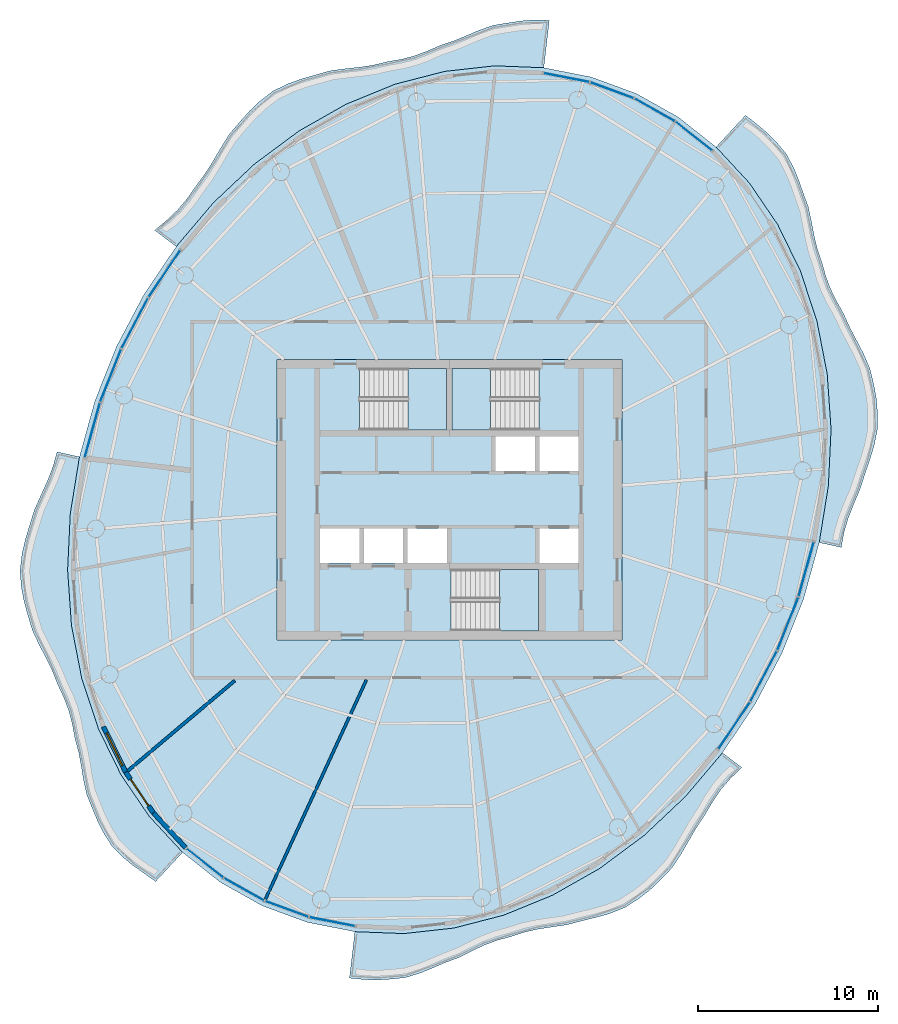
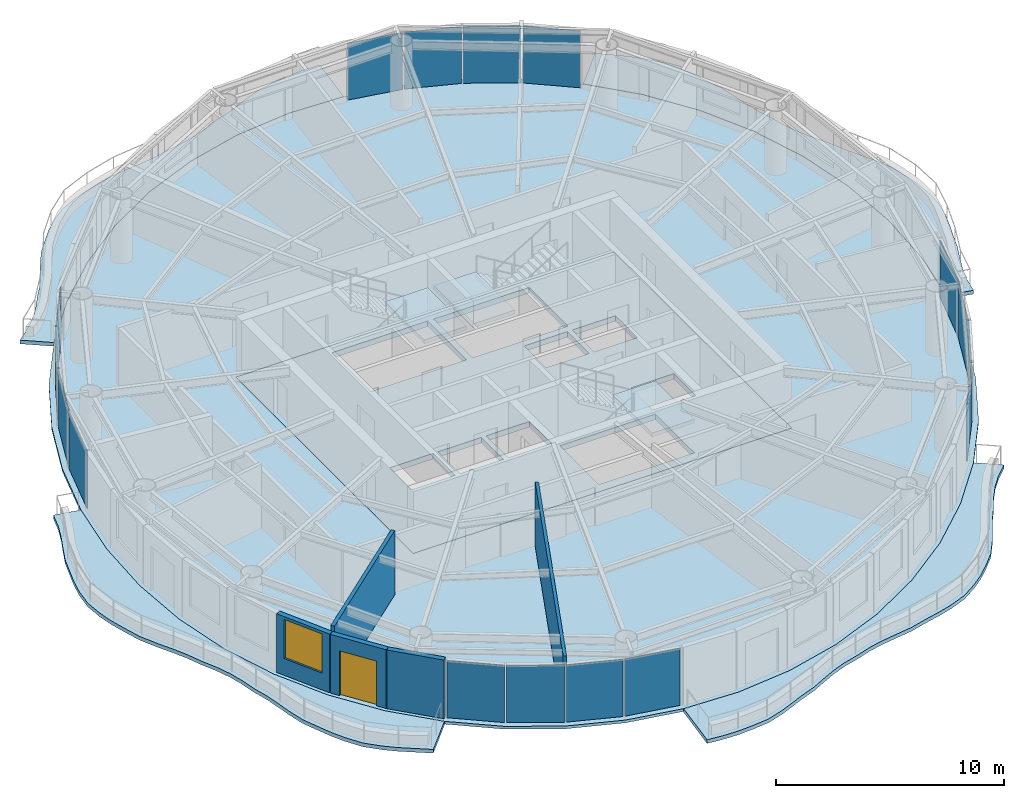
# One storey, part 6 of 13: 16 plates, 9 slabs, 5 walls, 1 door, 1 window, 2 openings, 19 elements without a shape of their own.
"""IFC4 building model written with IfcOpenShell, lengths in metres."""

from ifc_helpers import new_model, si_unit, direction, frame, frame_2d, origin, origin_2d, place, context, subcontext, project, spatial, polyline, rectangle, outline, extrude, material, layer, layer_set, type_object, element, fill, aggregate, save


model = new_model("IFC4")

# Units and contexts
model_context = context("Model", 3, precision=1e-05, world=origin(), true_north=direction((0.0, 1.0)))
body_context = subcontext(model_context, "Body", "Model", "MODEL_VIEW")
ifc_project = project(units=[si_unit("LENGTHUNIT", "METRE"), si_unit("AREAUNIT", "SQUARE_METRE"), si_unit("VOLUMEUNIT", "CUBIC_METRE"), si_unit("PLANEANGLEUNIT", "RADIAN"), si_unit("MASSUNIT", "GRAM", prefix="KILO")], contexts=[model_context])

# Site, building, storey
site_placement = place(None, origin())
site = spatial("IfcSite", under=ifc_project, at=site_placement, CompositionType="ELEMENT")
building_placement = place(site_placement, origin())
building = spatial("IfcBuilding", under=site, at=building_placement, Name="Vermilion Reach Broadcast Tower", CompositionType="ELEMENT")
storey_placement = place(building_placement, frame((0.0, 0.0, 293.699951171875)))
storey = spatial("IfcBuildingStorey", under=building, at=storey_placement, Name="L73", CompositionType="ELEMENT", Elevation=293.699951171875)

# Slabs
ifc_material_1 = material(Name="Concrete C40/50", Category="concrete")
ifc_layer_1 = layer(ifc_material_1, 0.199951171875)
ifc_layer_set_1 = layer_set([ifc_layer_1], Name="Balcony slab 200")
slab_type_1 = type_object("IfcSlabType", Name="Balcony slab 200", PredefinedType="FLOOR", material=ifc_layer_set_1)
placement_1 = place(storey_placement, frame((0.0, 0.0, -0.199951171875)))
element("IfcSlab", 1, at=placement_1, inside=storey, type_object=slab_type_1, Name="Balcony slab L73 group 1", PredefinedType="FLOOR", context=body_context, shape_type="SweptSolid", body=[
    extrude(outline(polyline([(-0.743408203125, 24.035888671875), (-3.474853515625, 24.1416015625), (-6.249267578125, 23.83447265625), (-9.01953125, 23.119384765625), (-11.738037109375, 22.008544921875), (-14.3583984375, 20.521484375), (-16.835693359375, 18.68310546875), (-19.127685546875, 16.52490234375), (-21.195068359375, 14.084228515625), (-22.39453125, 14.991943359375), (-21.70458984375, 15.563720703125), (-21.123779296875, 16.11962890625), (-20.606201171875, 16.729248046875), (-20.10302734375, 17.450439453125), (-19.579345703125, 18.15283203125), (-19.1474609375, 18.842041015625), (-18.7353515625, 19.552490234375), (-18.23193359375, 20.351318359375), (-17.6337890625, 21.052734375), (-17.109130859375, 21.6396484375), (-16.545166015625, 22.173828125), (-15.8056640625, 22.7431640625), (-14.98046875, 23.143310546875), (-14.262451171875, 23.404296875), (-13.517333984375, 23.61767578125), (-12.639892578125, 23.865966796875), (-11.753173828125, 23.987060546875), (-10.993408203125, 24.068603515625), (-10.246337890625, 24.180908203125), (-9.435546875, 24.374267578125), (-8.640869140625, 24.5146484375), (-7.949462890625, 24.69775390625), (-7.274658203125, 24.945068359375), (-6.513916015625, 25.2763671875), (-5.735595703125, 25.53662109375), (-5.064208984375, 25.814208984375), (-4.39404296875, 26.10205078125), (-3.5556640625, 26.3994140625), (-2.697998046875, 26.538330078125), (-2.01025390625, 26.641845703125), (-1.324462890625, 26.692138671875), (-0.43603515625, 26.67431640625), (-0.743408203125, 24.035888671875)])), origin(), (0.0, 0.0, 1.0), 0.199951171875),
])
element("IfcSlab", 2, at=placement_1, inside=storey, type_object=slab_type_1, Name="Balcony slab L73 group 2", PredefinedType="FLOOR", context=body_context, shape_type="SweptSolid", body=[
    extrude(outline(polyline([(-26.58056640625, 2.385986328125), (-27.090576171875, -0.771728515625), (-27.239990234375, -3.916259765625), (-27.025634765625, -6.993896484375), (-26.45166015625, -9.95166015625), (-25.527587890625, -12.7392578125), (-24.26953125, -15.308837890625), (-22.698974609375, -17.616455078125), (-20.842529296875, -19.622802734375), (-22.3447265625, -21.2451171875), (-23.05712890625, -20.74072265625), (-23.62548828125, -20.335693359375), (-24.15625, -19.89599609375), (-24.7783203125, -19.27099609375), (-25.2568359375, -18.51318359375), (-25.572998046875, -17.88427734375), (-25.845458984375, -17.2255859375), (-26.173095703125, -16.4150390625), (-26.364990234375, -15.538330078125), (-26.4853515625, -14.80078125), (-26.621337890625, -14.071044921875), (-26.83251953125, -13.27197265625), (-26.988037109375, -12.44970703125), (-27.1767578125, -11.73876953125), (-27.43310546875, -11.05029296875), (-27.781982421875, -10.299560546875), (-28.097900390625, -9.50390625), (-28.44091796875, -8.802978515625), (-28.806884765625, -8.106689453125), (-29.197021484375, -7.279052734375), (-29.4638671875, -6.390380859375), (-29.671875, -5.6318359375), (-29.8134765625, -4.86865234375), (-29.88916015625, -3.945556640625), (-29.776123046875, -3.008056640625), (-29.59716796875, -2.228759765625), (-29.36181640625, -1.451904296875), (-29.087646484375, -0.563720703125), (-28.703369140625, 0.298828125), (-28.359375, 1.05322265625), (-28.063720703125, 1.8154296875), (-27.825439453125, 2.65771484375), (-26.58056640625, 2.385986328125)])), origin(), (0.0, 0.0, 1.0), 0.199951171875),
])
element("IfcSlab", 3, at=placement_1, inside=storey, type_object=slab_type_1, Name="Balcony slab L73 group 3", PredefinedType="FLOOR", context=body_context, shape_type="SweptSolid", body=[
    extrude(outline(polyline([(-11.256591796875, -24.035888671875), (-8.525146484375, -24.1416015625), (-5.750732421875, -23.83447265625), (-2.98046875, -23.119384765625), (-0.261962890625, -22.008544921875), (2.3583984375, -20.521484375), (4.835693359375, -18.68310546875), (7.127685546875, -16.52490234375), (9.195068359375, -14.084228515625), (10.272705078125, -14.89990234375), (9.641845703125, -15.510498046875), (9.121826171875, -16.1181640625), (8.665771484375, -16.779541015625), (8.211181640625, -17.552978515625), (7.71728515625, -18.29931640625), (7.30517578125, -19.009521484375), (6.89453125, -19.721435546875), (6.364990234375, -20.51025390625), (5.728515625, -21.18017578125), (5.164306640625, -21.71435546875), (4.554931640625, -22.187255859375), (3.77197265625, -22.691650390625), (2.91552734375, -23.029052734375), (2.170166015625, -23.24169921875), (1.407470703125, -23.424072265625), (0.537353515625, -23.654541015625), (-0.33056640625, -23.78173828125), (-1.0771484375, -23.89599609375), (-1.803955078125, -24.058349609375), (-2.584716796875, -24.3125), (-3.357177734375, -24.52197265625), (-4.03076171875, -24.7744140625), (-4.689453125, -25.083740234375), (-5.451171875, -25.467041015625), (-6.23974609375, -25.759521484375), (-6.909912109375, -26.04736328125), (-7.581298828125, -26.323974609375), (-8.4375, -26.59130859375), (-9.307373046875, -26.681396484375), (-9.992919921875, -26.72412109375), (-10.676025390625, -26.706298828125), (-11.5576171875, -26.619140625), (-11.256591796875, -24.035888671875)])), origin(), (0.0, 0.0, 1.0), 0.199951171875),
])
element("IfcSlab", 4, at=placement_1, inside=storey, type_object=slab_type_1, Name="Balcony slab L73 group 4", PredefinedType="FLOOR", context=body_context, shape_type="SweptSolid", body=[
    extrude(outline(polyline([(14.58056640625, -2.385986328125), (15.090576171875, 0.771728515625), (15.239990234375, 3.916259765625), (15.025634765625, 6.993896484375), (14.45166015625, 9.95166015625), (13.527587890625, 12.7392578125), (12.26953125, 15.308837890625), (10.698974609375, 17.616455078125), (8.842529296875, 19.622802734375), (10.481689453125, 21.393310546875), (11.172119140625, 20.84716796875), (11.69775390625, 20.402587890625), (12.1796875, 19.91748046875), (12.748779296875, 19.247314453125), (13.169677734375, 18.453857421875), (13.43798828125, 17.792236328125), (13.6748046875, 17.109375), (13.973388671875, 16.299072265625), (14.15576171875, 15.435791015625), (14.294189453125, 14.707275390625), (14.466552734375, 13.995361328125), (14.725830078125, 13.228515625), (14.9453125, 12.435546875), (15.205078125, 11.748291015625), (15.529541015625, 11.082275390625), (15.93994140625, 10.341064453125), (16.302734375, 9.54345703125), (16.6689453125, 8.847412109375), (17.033203125, 8.150634765625), (17.400146484375, 7.3056640625), (17.618408203125, 6.401123046875), (17.760009765625, 5.637939453125), (17.824951171875, 4.869384765625), (17.82275390625, 3.94482421875), (17.637939453125, 3.0146484375), (17.4033203125, 2.23779296875), (17.135009765625, 1.462646484375), (16.85498046875, 0.588134765625), (16.49365234375, -0.264892578125), (16.196044921875, -1.02685546875), (15.96630859375, -1.7998046875), (15.80615234375, -2.653564453125), (14.58056640625, -2.385986328125)])), origin(), (0.0, 0.0, 1.0), 0.199951171875),
])
ifc_material_2 = material(Name="Concrete C40", Category="concrete")
ifc_layer_2 = layer(ifc_material_2, 0.300048828125)
ifc_layer_set_2 = layer_set([ifc_layer_2], Name="Core floor slab 300 mm Concrete C40")
slab_type_2 = type_object("IfcSlabType", Name="Core floor slab 300 mm Concrete C40", PredefinedType="FLOOR", material=ifc_layer_set_2)
slab_5_placement = place(storey_placement, frame((0.0, 0.0, -0.300048828125)))
element("IfcSlab", 5, at=slab_5_placement, inside=storey, type_object=slab_type_2, Name="L73 core floor", PredefinedType="FLOOR", context=body_context, shape_type="SweptSolid", body=[
    extrude(outline(polyline([(-15.60009765625, -7.800048828125), (3.60009765625, -7.800048828125), (3.60009765625, 7.800048828125), (-15.60009765625, 7.800048828125), (-15.60009765625, -7.800048828125)]), holes=[polyline([(-3.433349609375, 1.60009765625), (-1.24169921875, 1.60009765625), (-1.24169921875, 3.530029296875), (-3.433349609375, 3.530029296875), (-3.433349609375, 1.60009765625)]), polyline([(-0.99169921875, 1.60009765625), (1.199951171875, 1.60009765625), (1.199951171875, 3.530029296875), (-0.99169921875, 3.530029296875), (-0.99169921875, 1.60009765625)]), polyline([(-13.199951171875, -3.530029296875), (-11.00830078125, -3.530029296875), (-11.00830078125, -1.60009765625), (-13.199951171875, -1.60009765625), (-13.199951171875, -3.530029296875)]), polyline([(-10.75830078125, -3.530029296875), (-8.566650390625, -3.530029296875), (-8.566650390625, -1.60009765625), (-10.75830078125, -1.60009765625), (-10.75830078125, -3.530029296875)]), polyline([(-8.316650390625, -3.530029296875), (-6.125, -3.530029296875), (-6.125, -1.60009765625), (-8.316650390625, -1.60009765625), (-8.316650390625, -3.530029296875)]), polyline([(-0.99169921875, -3.530029296875), (1.199951171875, -3.530029296875), (1.199951171875, -1.60009765625), (-0.99169921875, -1.60009765625), (-0.99169921875, -3.530029296875)]), polyline([(-10.999267578125, 3.8798828125), (-6.14990234375, 3.8798828125), (-6.14990234375, 7.300048828125), (-10.999267578125, 7.300048828125), (-10.999267578125, 3.8798828125)]), polyline([(-1.000732421875, 7.300048828125), (-5.85009765625, 7.300048828125), (-5.85009765625, 3.8798828125), (-1.000732421875, 3.8798828125), (-1.000732421875, 7.300048828125)]), polyline([(-5.8994140625, -7.300048828125), (-1.050048828125, -7.300048828125), (-1.050048828125, -3.8798828125), (-5.8994140625, -3.8798828125), (-5.8994140625, -7.300048828125)])]), origin(), (0.0, 0.0, 1.0), 0.300048828125),
])

# Stair, slab
ifc_material_3 = material(Name="Concrete C40", Category="concrete")
stair_type = type_object("IfcStairType", Name="Exit stair RC 22 risers 164 mm", PredefinedType="HALF_TURN_STAIR", material=ifc_material_3)
placement_2 = place(storey_placement, origin())
stair_1 = element("IfcStair", 6, at=placement_2, inside=storey, type_object=stair_type, Name="L73 Exit stair ST1", PredefinedType="HALF_TURN_STAIR")
ifc_material_4 = material(Name="Concrete C40", Category="concrete")
ifc_layer_3 = layer(ifc_material_4, 0.199951171875)
ifc_layer_set_3 = layer_set([ifc_layer_3], Name="Exit stair landing Concrete C40")
slab_type_3 = type_object("IfcSlabType", Name="Exit stair landing Concrete C40", PredefinedType="LANDING", material=ifc_layer_set_3)
placement_3 = place(storey_placement, frame((0.0, 0.0, 1.60009765625)))
slab_6 = element("IfcSlab", 7, at=placement_3, type_object=slab_type_3, Name="ST1 landing 1", PredefinedType="LANDING", context=body_context, shape_type="SweptSolid", body=[
    extrude(outline(polyline([(-8.300048828125, 3.8798828125), (-6.14990234375, 3.8798828125), (-6.14990234375, 7.300048828125), (-8.300048828125, 7.300048828125), (-8.300048828125, 3.8798828125)])), origin(), (0.0, 0.0, 1.0), 0.199951171875),
])
aggregate(stair_1, [slab_6])

stair_2 = element("IfcStair", 8, at=placement_2, inside=storey, type_object=stair_type, Name="L73 Exit stair ST2", PredefinedType="HALF_TURN_STAIR")
slab_7 = element("IfcSlab", 9, at=placement_3, type_object=slab_type_3, Name="ST2 landing 1", PredefinedType="LANDING", context=body_context, shape_type="SweptSolid", body=[
    extrude(outline(polyline([(-3.699951171875, 7.300048828125), (-5.85009765625, 7.300048828125), (-5.85009765625, 3.8798828125), (-3.699951171875, 3.8798828125), (-3.699951171875, 7.300048828125)])), origin(), (0.0, 0.0, 1.0), 0.199951171875),
])
aggregate(stair_2, [slab_7])

stair_3 = element("IfcStair", 10, at=placement_2, inside=storey, type_object=stair_type, Name="L73 Exit stair ST3", PredefinedType="HALF_TURN_STAIR")
slab_8 = element("IfcSlab", 11, at=placement_3, type_object=slab_type_3, Name="ST3 landing 1", PredefinedType="LANDING", context=body_context, shape_type="SweptSolid", body=[
    extrude(outline(polyline([(-3.199951171875, -7.300048828125), (-1.050048828125, -7.300048828125), (-1.050048828125, -3.8798828125), (-3.199951171875, -3.8798828125), (-3.199951171875, -7.300048828125)])), origin(), (0.0, 0.0, 1.0), 0.199951171875),
])
aggregate(stair_3, [slab_8])

# Slab
ifc_material_5 = material(Name="Concrete C40", Category="concrete")
ifc_layer_4 = layer(ifc_material_5, 0.14990234375)
ifc_layer_set_4 = layer_set([ifc_layer_4], Name="Floor slab Concrete C40 composite 150")
slab_type_4 = type_object("IfcSlabType", Name="Floor slab Concrete C40 composite 150", PredefinedType="FLOOR", material=ifc_layer_set_4)
slab_9_placement = place(storey_placement, frame((0.0, 0.0, -0.14990234375)))
element("IfcSlab", 12, at=slab_9_placement, inside=storey, type_object=slab_type_4, Name="Floor slab L73", PredefinedType="FLOOR", context=body_context, shape_type="SweptSolid", body=[
    extrude(outline(polyline([(4.404052734375, 22.599365234375), (1.89794921875, 23.518798828125), (-0.743408203125, 24.035888671875), (-3.474853515625, 24.1416015625), (-6.249267578125, 23.83447265625), (-9.01953125, 23.119384765625), (-11.738037109375, 22.008544921875), (-14.3583984375, 20.521484375), (-16.835693359375, 18.68310546875), (-19.127685546875, 16.52490234375), (-21.195068359375, 14.084228515625), (-23.00244140625, 11.40234375), (-24.518798828125, 8.525634765625), (-25.718505859375, 5.5029296875), (-26.58056640625, 2.385986328125), (-27.090576171875, -0.771728515625), (-27.239990234375, -3.916259765625), (-27.025634765625, -6.993896484375), (-26.45166015625, -9.95166015625), (-25.527587890625, -12.7392578125), (-24.26953125, -15.308837890625), (-22.698974609375, -17.616455078125), (-20.842529296875, -19.622802734375), (-18.732177734375, -21.293212890625), (-16.404052734375, -22.599365234375), (-13.89794921875, -23.518798828125), (-11.256591796875, -24.035888671875), (-8.525146484375, -24.1416015625), (-5.750732421875, -23.83447265625), (-2.98046875, -23.119384765625), (-0.261962890625, -22.008544921875), (2.3583984375, -20.521484375), (4.835693359375, -18.68310546875), (7.127685546875, -16.52490234375), (9.195068359375, -14.084228515625), (11.00244140625, -11.40234375), (12.518798828125, -8.525634765625), (13.718505859375, -5.5029296875), (14.58056640625, -2.385986328125), (15.090576171875, 0.771728515625), (15.239990234375, 3.916259765625), (15.025634765625, 6.993896484375), (14.45166015625, 9.95166015625), (13.527587890625, 12.7392578125), (12.26953125, 15.308837890625), (10.698974609375, 17.616455078125), (8.842529296875, 19.622802734375), (6.732177734375, 21.293212890625), (4.404052734375, 22.599365234375)]), holes=[polyline([(-15.60009765625, -7.800048828125), (3.60009765625, -7.800048828125), (3.60009765625, 7.800048828125), (-15.60009765625, 7.800048828125), (-15.60009765625, -7.800048828125)])]), origin(), (0.0, 0.0, 1.0), 0.14990234375),
])

# Curtain wall, plate
ifc_material_6 = material(Name="Low-e laminated clear glass in aluminium frame", Category="aluminium")
curtain_wall_type = type_object("IfcCurtainWallType", Name="Slot curtain wall", PredefinedType="NOTDEFINED", material=ifc_material_6)
curtain_wall_1 = element("IfcCurtainWall", 13, at=placement_2, inside=storey, type_object=curtain_wall_type, Name="Slot curtain wall L73 46", PredefinedType="NOTDEFINED")
ifc_material_7 = material(Name="Low-e laminated clear glass", Category="glass")
ifc_layer_5 = layer(ifc_material_7, 0.028076171875)
ifc_layer_set_5 = layer_set([ifc_layer_5], Name="Slot glass panel")
plate_type = type_object("IfcPlateType", Name="Slot glass panel", PredefinedType="CURTAIN_PANEL", material=ifc_layer_set_5)
plate_1_placement = place(storey_placement, frame((7.60205078125, 20.223388671875, 0.0), z_axis=(0.0, 0.0, 1.0), x_axis=(-0.784077230685, 0.620663271284, 0.0)))
plate_1 = element("IfcPlate", 14, at=plate_1_placement, type_object=plate_type, Name="Slot glass panel L73 46", PredefinedType="CURTAIN_PANEL", context=body_context, shape_type="SweptSolid", body=[
    extrude(rectangle(XDim=2.564453125, YDim=0.028076171875, at=origin_2d()), origin(), (0.0, 0.0, 1.0), 3.050048828125),
])
aggregate(curtain_wall_1, [plate_1])

curtain_wall_2 = element("IfcCurtainWall", 15, at=placement_2, inside=storey, type_object=curtain_wall_type, Name="Slot curtain wall L73 47", PredefinedType="NOTDEFINED")
plate_2_placement = place(storey_placement, frame((5.421875, 21.685302734375, 0.0), z_axis=(0.0, 0.0, 1.0), x_axis=(-0.872126932484, 0.489279688559, 0.0)))
plate_2 = element("IfcPlate", 16, at=plate_2_placement, type_object=plate_type, Name="Slot glass panel L73 47", PredefinedType="CURTAIN_PANEL", context=body_context, shape_type="SweptSolid", body=[
    extrude(rectangle(XDim=2.541748046875, YDim=0.028076171875, at=origin_2d()), origin(), (0.0, 0.0, 1.0), 3.050048828125),
])
aggregate(curtain_wall_2, [plate_2])

curtain_wall_3 = element("IfcCurtainWall", 17, at=placement_2, inside=storey, type_object=curtain_wall_type, Name="Slot curtain wall L73 00", PredefinedType="NOTDEFINED")
plate_3_placement = place(storey_placement, frame((3.0478515625, 22.7783203125, 0.0), z_axis=(0.0, 0.0, 1.0), x_axis=(-0.938813522867, 0.344425854549, 0.0)))
plate_3 = element("IfcPlate", 18, at=plate_3_placement, type_object=plate_type, Name="Slot glass panel L73 00", PredefinedType="CURTAIN_PANEL", context=body_context, shape_type="SweptSolid", body=[
    extrude(rectangle(XDim=2.541748046875, YDim=0.028076171875, at=origin_2d()), origin(), (0.0, 0.0, 1.0), 3.050048828125),
])
aggregate(curtain_wall_3, [plate_3])

curtain_wall_4 = element("IfcCurtainWall", 19, at=placement_2, inside=storey, type_object=curtain_wall_type, Name="Slot curtain wall L73 01", PredefinedType="NOTDEFINED")
plate_4_placement = place(storey_placement, frame((0.51953125, 23.48388671875, 0.0), z_axis=(0.0, 0.0, 1.0), x_axis=(-0.981375157258, 0.192101016961, 0.0)))
plate_4 = element("IfcPlate", 20, at=plate_4_placement, type_object=plate_type, Name="Slot glass panel L73 01", PredefinedType="CURTAIN_PANEL", context=body_context, shape_type="SweptSolid", body=[
    extrude(rectangle(XDim=2.564453125, YDim=0.028076171875, at=origin_2d()), origin(), (0.0, 0.0, 1.0), 3.050048828125),
])
aggregate(curtain_wall_4, [plate_4])

curtain_wall_5 = element("IfcCurtainWall", 21, at=placement_2, inside=storey, type_object=curtain_wall_type, Name="Slot curtain wall L73 10", PredefinedType="NOTDEFINED")
plate_5_placement = place(storey_placement, frame((-21.850341796875, 12.575927734375, 0.0), z_axis=(0.0, 0.0, 1.0), x_axis=(-0.558867858907, -0.829256725195, 0.0)))
plate_5 = element("IfcPlate", 22, at=plate_5_placement, type_object=plate_type, Name="Slot glass panel L73 10", PredefinedType="CURTAIN_PANEL", context=body_context, shape_type="SweptSolid", body=[
    extrude(rectangle(XDim=3.121337890625, YDim=0.028076171875, at=origin_2d()), origin(), (0.0, 0.0, 1.0), 3.050048828125),
])
aggregate(curtain_wall_5, [plate_5])

curtain_wall_6 = element("IfcCurtainWall", 23, at=placement_2, inside=storey, type_object=curtain_wall_type, Name="Slot curtain wall L73 11", PredefinedType="NOTDEFINED")
plate_6_placement = place(storey_placement, frame((-23.49560546875, 9.82421875, 0.0), z_axis=(0.0, 0.0, 1.0), x_axis=(-0.466298813044, -0.884627275723, 0.0)))
plate_6 = element("IfcPlate", 24, at=plate_6_placement, type_object=plate_type, Name="Slot glass panel L73 11", PredefinedType="CURTAIN_PANEL", context=body_context, shape_type="SweptSolid", body=[
    extrude(rectangle(XDim=3.139892578125, YDim=0.028076171875, at=origin_2d()), origin(), (0.0, 0.0, 1.0), 3.050048828125),
])
aggregate(curtain_wall_6, [plate_6])

curtain_wall_7 = element("IfcCurtainWall", 25, at=placement_2, inside=storey, type_object=curtain_wall_type, Name="Slot curtain wall L73 12", PredefinedType="NOTDEFINED")
plate_7_placement = place(storey_placement, frame((-24.84033203125, 6.90380859375, 0.0), z_axis=(0.0, 0.0, 1.0), x_axis=(-0.368865835989, -0.929482649133, 0.0)))
plate_7 = element("IfcPlate", 26, at=plate_7_placement, type_object=plate_type, Name="Slot glass panel L73 12", PredefinedType="CURTAIN_PANEL", context=body_context, shape_type="SweptSolid", body=[
    extrude(rectangle(XDim=3.139892578125, YDim=0.028076171875, at=origin_2d()), origin(), (0.0, 0.0, 1.0), 3.050048828125),
])
aggregate(curtain_wall_7, [plate_7])

curtain_wall_8 = element("IfcCurtainWall", 27, at=placement_2, inside=storey, type_object=curtain_wall_type, Name="Slot curtain wall L73 13", PredefinedType="NOTDEFINED")
plate_8_placement = place(storey_placement, frame((-25.86083984375, 3.864501953125, 0.0), z_axis=(0.0, 0.0, 1.0), x_axis=(-0.266606989786, -0.963805329409, 0.0)))
plate_8 = element("IfcPlate", 28, at=plate_8_placement, type_object=plate_type, Name="Slot glass panel L73 13", PredefinedType="CURTAIN_PANEL", context=body_context, shape_type="SweptSolid", body=[
    extrude(rectangle(XDim=3.121337890625, YDim=0.028076171875, at=origin_2d()), origin(), (0.0, 0.0, 1.0), 3.050048828125),
])
aggregate(curtain_wall_8, [plate_8])

curtain_wall_9 = element("IfcCurtainWall", 29, at=placement_2, inside=storey, type_object=curtain_wall_type, Name="Slot curtain wall L73 22", PredefinedType="NOTDEFINED")
plate_9_placement = place(storey_placement, frame((-19.60205078125, -20.223388671875, 0.0), z_axis=(0.0, 0.0, 1.0), x_axis=(0.784077230685, -0.620663271284, 0.0)))
plate_9 = element("IfcPlate", 30, at=plate_9_placement, type_object=plate_type, Name="Slot glass panel L73 22", PredefinedType="CURTAIN_PANEL", context=body_context, shape_type="SweptSolid", body=[
    extrude(rectangle(XDim=2.564453125, YDim=0.028076171875, at=origin_2d()), origin(), (0.0, 0.0, 1.0), 3.050048828125),
])
aggregate(curtain_wall_9, [plate_9])

curtain_wall_10 = element("IfcCurtainWall", 31, at=placement_2, inside=storey, type_object=curtain_wall_type, Name="Slot curtain wall L73 23", PredefinedType="NOTDEFINED")
plate_10_placement = place(storey_placement, frame((-17.421875, -21.685302734375, 0.0), z_axis=(0.0, 0.0, 1.0), x_axis=(0.872126932484, -0.489279688559, 0.0)))
plate_10 = element("IfcPlate", 32, at=plate_10_placement, type_object=plate_type, Name="Slot glass panel L73 23", PredefinedType="CURTAIN_PANEL", context=body_context, shape_type="SweptSolid", body=[
    extrude(rectangle(XDim=2.541748046875, YDim=0.028076171875, at=origin_2d()), origin(), (0.0, 0.0, 1.0), 3.050048828125),
])
aggregate(curtain_wall_10, [plate_10])

curtain_wall_11 = element("IfcCurtainWall", 33, at=placement_2, inside=storey, type_object=curtain_wall_type, Name="Slot curtain wall L73 24", PredefinedType="NOTDEFINED")
plate_11_placement = place(storey_placement, frame((-15.0478515625, -22.7783203125, 0.0), z_axis=(0.0, 0.0, 1.0), x_axis=(0.938813522867, -0.344425854549, 0.0)))
plate_11 = element("IfcPlate", 34, at=plate_11_placement, type_object=plate_type, Name="Slot glass panel L73 24", PredefinedType="CURTAIN_PANEL", context=body_context, shape_type="SweptSolid", body=[
    extrude(rectangle(XDim=2.541748046875, YDim=0.028076171875, at=origin_2d()), origin(), (0.0, 0.0, 1.0), 3.050048828125),
])
aggregate(curtain_wall_11, [plate_11])

curtain_wall_12 = element("IfcCurtainWall", 35, at=placement_2, inside=storey, type_object=curtain_wall_type, Name="Slot curtain wall L73 25", PredefinedType="NOTDEFINED")
plate_12_placement = place(storey_placement, frame((-12.51953125, -23.48388671875, 0.0), z_axis=(0.0, 0.0, 1.0), x_axis=(0.981375157258, -0.192101016961, 0.0)))
plate_12 = element("IfcPlate", 36, at=plate_12_placement, type_object=plate_type, Name="Slot glass panel L73 25", PredefinedType="CURTAIN_PANEL", context=body_context, shape_type="SweptSolid", body=[
    extrude(rectangle(XDim=2.564453125, YDim=0.028076171875, at=origin_2d()), origin(), (0.0, 0.0, 1.0), 3.050048828125),
])
aggregate(curtain_wall_12, [plate_12])

curtain_wall_13 = element("IfcCurtainWall", 37, at=placement_2, inside=storey, type_object=curtain_wall_type, Name="Slot curtain wall L73 34", PredefinedType="NOTDEFINED")
plate_13_placement = place(storey_placement, frame((9.850341796875, -12.575927734375, 0.0), z_axis=(0.0, 0.0, 1.0), x_axis=(0.558867858907, 0.829256725195, 0.0)))
plate_13 = element("IfcPlate", 38, at=plate_13_placement, type_object=plate_type, Name="Slot glass panel L73 34", PredefinedType="CURTAIN_PANEL", context=body_context, shape_type="SweptSolid", body=[
    extrude(rectangle(XDim=3.121337890625, YDim=0.028076171875, at=origin_2d()), origin(), (0.0, 0.0, 1.0), 3.050048828125),
])
aggregate(curtain_wall_13, [plate_13])

curtain_wall_14 = element("IfcCurtainWall", 39, at=placement_2, inside=storey, type_object=curtain_wall_type, Name="Slot curtain wall L73 35", PredefinedType="NOTDEFINED")
plate_14_placement = place(storey_placement, frame((11.49560546875, -9.82421875, 0.0), z_axis=(0.0, 0.0, 1.0), x_axis=(0.466298813044, 0.884627275723, 0.0)))
plate_14 = element("IfcPlate", 40, at=plate_14_placement, type_object=plate_type, Name="Slot glass panel L73 35", PredefinedType="CURTAIN_PANEL", context=body_context, shape_type="SweptSolid", body=[
    extrude(rectangle(XDim=3.139892578125, YDim=0.028076171875, at=origin_2d()), origin(), (0.0, 0.0, 1.0), 3.050048828125),
])
aggregate(curtain_wall_14, [plate_14])

curtain_wall_15 = element("IfcCurtainWall", 41, at=placement_2, inside=storey, type_object=curtain_wall_type, Name="Slot curtain wall L73 36", PredefinedType="NOTDEFINED")
plate_15_placement = place(storey_placement, frame((12.84033203125, -6.90380859375, 0.0), z_axis=(0.0, 0.0, 1.0), x_axis=(0.368865835989, 0.929482649133, 0.0)))
plate_15 = element("IfcPlate", 42, at=plate_15_placement, type_object=plate_type, Name="Slot glass panel L73 36", PredefinedType="CURTAIN_PANEL", context=body_context, shape_type="SweptSolid", body=[
    extrude(rectangle(XDim=3.139892578125, YDim=0.028076171875, at=origin_2d()), origin(), (0.0, 0.0, 1.0), 3.050048828125),
])
aggregate(curtain_wall_15, [plate_15])

curtain_wall_16 = element("IfcCurtainWall", 43, at=placement_2, inside=storey, type_object=curtain_wall_type, Name="Slot curtain wall L73 37", PredefinedType="NOTDEFINED")
plate_16_placement = place(storey_placement, frame((13.86083984375, -3.864501953125, 0.0), z_axis=(0.0, 0.0, 1.0), x_axis=(0.266606989786, 0.963805329409, 0.0)))
plate_16 = element("IfcPlate", 44, at=plate_16_placement, type_object=plate_type, Name="Slot glass panel L73 37", PredefinedType="CURTAIN_PANEL", context=body_context, shape_type="SweptSolid", body=[
    extrude(rectangle(XDim=3.121337890625, YDim=0.028076171875, at=origin_2d()), origin(), (0.0, 0.0, 1.0), 3.050048828125),
])
aggregate(curtain_wall_16, [plate_16])

# Walls
ifc_material_8 = material(Name="Lightweight concrete block, plastered", Category="concrete")
ifc_layer_6 = layer(ifc_material_8, 0.14990234375)
ifc_layer_set_6 = layer_set([ifc_layer_6], Name="Partition 150 lightweight block")
wall_type_1 = type_object("IfcWallType", Name="Partition 150 lightweight block", PredefinedType="PARTITIONING", material=ifc_layer_set_6)
wall_1_placement = place(storey_placement, frame((-16.226318359375, -22.21337890625, 0.0), z_axis=(0.0, 0.0, 1.0), x_axis=(0.418174840515, 0.908366557487, 0.0)))
element("IfcWall", 45, at=wall_1_placement, inside=storey, type_object=wall_type_1, Name="Partition 73.07", PredefinedType="PARTITIONING", context=body_context, shape_type="SweptSolid", body=[
    extrude(rectangle(XDim=13.4111328125, YDim=0.14990234375, at=frame_2d((6.70556640625, 0.0))), origin(), (0.0, 0.0, 1.0), 3.449951171875),
])
ifc_material_9 = material(Name="Fire-rated block, plastered")
ifc_layer_7 = layer(ifc_material_9, 0.175048828125)
ifc_layer_set_7 = layer_set([ifc_layer_7], Name="Partition 175 fire-rated block")
wall_type_2 = type_object("IfcWallType", Name="Partition 175 fire-rated block", PredefinedType="PARTITIONING", material=ifc_layer_set_7)
wall_2_placement = place(storey_placement, frame((-23.902099609375, -15.095458984375, 0.0), z_axis=(0.0, 0.0, 1.0), x_axis=(0.764496313842, 0.644628099079, 0.0)))
element("IfcWall", 46, at=wall_2_placement, inside=storey, type_object=wall_type_2, Name="Partition 73.06", PredefinedType="PARTITIONING", context=body_context, shape_type="SweptSolid", body=[
    extrude(rectangle(XDim=7.80078125, YDim=0.175048828125, at=frame_2d((3.900390625, 0.0))), origin(), (0.0, 0.0, 1.0), 3.449951171875),
])

# Wall, opening, window
ifc_material_10 = material(Name="Terracotta rainscreen cladding", Category="masonry")
ifc_layer_8 = layer(ifc_material_10, 0.25)
ifc_layer_set_8 = layer_set([ifc_layer_8], Name="Terracotta rainscreen wall 250")
wall_type_3 = type_object("IfcWallType", Name="Terracotta rainscreen wall 250", PredefinedType="SOLIDWALL", material=ifc_layer_set_8)
wall_3_placement = place(storey_placement, frame((-25.244384765625, -12.63720703125, 0.0), z_axis=(0.0, 0.0, 1.0), x_axis=(0.439683351092, -0.898152854904, 0.0)))
wall_3 = element("IfcWall", 47, at=wall_3_placement, inside=storey, type_object=wall_type_3, Name="External wall L73 19", PredefinedType="SOLIDWALL", context=body_context, shape_type="SweptSolid", body=[
    extrude(rectangle(XDim=2.794189453125, YDim=0.25, at=frame_2d((1.39697265625, 0.0))), origin(), (0.0, 0.0, 1.0), 3.150146484375),
])
opening_1_placement = place(wall_3_placement, frame((0.39697265625, 0.0, 0.89990234375)))
opening_1 = element("IfcOpeningElement", 48, at=opening_1_placement, cuts=wall_3, Name="Opening W03", PredefinedType="OPENING", context=body_context, shape_type="SweptSolid", body=[
    extrude(rectangle(XDim=2.0, YDim=2.10009765625, at=frame_2d((1.0, 1.050048828125))), frame((0.0, 0.135009765625, 0.0), z_axis=(0.0, -1.0, 0.0), x_axis=(1.0, 0.0, 0.0)), (0.0, 0.0, 1.0), 0.27001953125),
])
ifc_material_11 = material(Name="Low-e laminated clear glass in aluminium frame", Category="aluminium")
window_type = type_object("IfcWindowType", Name="Punched window 2000 x 2100 sill 900", PartitioningType="SINGLE_PANEL", PredefinedType="WINDOW", material=ifc_material_11)
window_placement = place(opening_1_placement, origin())
window = element("IfcWindow", 49, at=window_placement, inside=storey, type_object=window_type, Name="Window L73 19", OverallHeight=2.10009765625, OverallWidth=2.0, PartitioningType="SINGLE_PANEL", PredefinedType="WINDOW", context=body_context, shape_type="SweptSolid", body=[
    extrude(rectangle(XDim=2.0, YDim=2.10009765625, at=frame_2d((1.0, 1.050048828125))), frame((0.0, 0.030029296875, 0.0), z_axis=(0.0, -1.0, 0.0), x_axis=(1.0, 0.0, 0.0)), (0.0, 0.0, 1.0), 0.06005859375),
])
fill(opening_1, window)

# Wall, opening, door
wall_4_placement = place(storey_placement, frame((-24.0029296875, -15.1689453125, 0.0), z_axis=(0.0, 0.0, 1.0), x_axis=(0.562624043307, -0.826712879961, 0.0)))
wall_4 = element("IfcWall", 50, at=wall_4_placement, inside=storey, type_object=wall_type_3, Name="External wall L73 20", PredefinedType="SOLIDWALL", context=body_context, shape_type="SweptSolid", body=[
    extrude(rectangle(XDim=2.7216796875, YDim=0.25, at=frame_2d((1.36083984375, 0.0))), origin(), (0.0, 0.0, 1.0), 3.150146484375),
])
opening_2_placement = place(wall_4_placement, frame((0.4609375, 0.0, 0.0)))
opening_2 = element("IfcOpeningElement", 51, at=opening_2_placement, cuts=wall_4, Name="Opening D70", PredefinedType="OPENING", context=body_context, shape_type="SweptSolid", body=[
    extrude(rectangle(XDim=1.800048828125, YDim=2.39990234375, at=frame_2d((0.89990234375, 1.199951171875))), frame((0.0, 0.135009765625, 0.0), z_axis=(0.0, -1.0, 0.0), x_axis=(1.0, 0.0, 0.0)), (0.0, 0.0, 1.0), 0.27001953125),
])
ifc_material_12 = material(Name="Low-e laminated clear glass in aluminium frame", Category="aluminium")
door_type = type_object("IfcDoorType", Name="Balcony sliding door 1800 x 2400", OperationType="DOUBLE_DOOR_SLIDING", PredefinedType="DOOR", material=ifc_material_12)
door_placement = place(opening_2_placement, origin())
door = element("IfcDoor", 52, at=door_placement, inside=storey, type_object=door_type, Name="Balcony door L73 run 05", OperationType="DOUBLE_DOOR_SLIDING", OverallHeight=2.39990234375, OverallWidth=1.800048828125, PredefinedType="DOOR", context=body_context, shape_type="SweptSolid", body=[
    extrude(rectangle(XDim=1.800048828125, YDim=2.39990234375, at=frame_2d((0.89990234375, 1.199951171875))), frame((0.0, 0.02490234375, 0.0), z_axis=(0.0, -1.0, 0.0), x_axis=(1.0, 0.0, 0.0)), (0.0, 0.0, 1.0), 0.050048828125),
])
fill(opening_2, door)

# Wall
wall_5_placement = place(storey_placement, frame((-22.455078125, -17.439697265625, 0.0), z_axis=(0.0, 0.0, 1.0), x_axis=(0.679173817971, -0.733977468989, 0.0)))
element("IfcWall", 53, at=wall_5_placement, inside=storey, type_object=wall_type_3, Name="External wall L73 21", PredefinedType="SOLIDWALL", context=body_context, shape_type="SweptSolid", body=[
    extrude(rectangle(XDim=2.619384765625, YDim=0.25, at=frame_2d((1.3095703125, 0.0))), origin(), (0.0, 0.0, 1.0), 3.150146484375),
])

save(model, "model.ifc")
